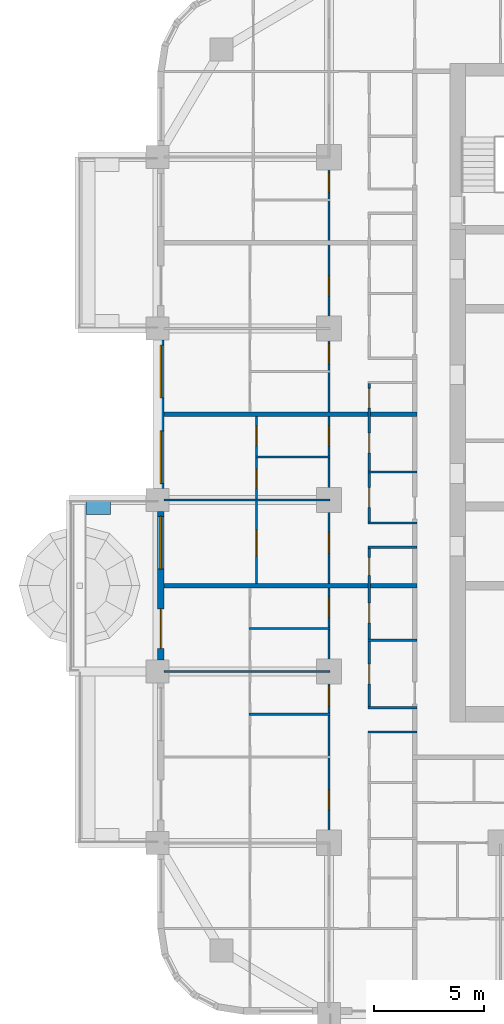
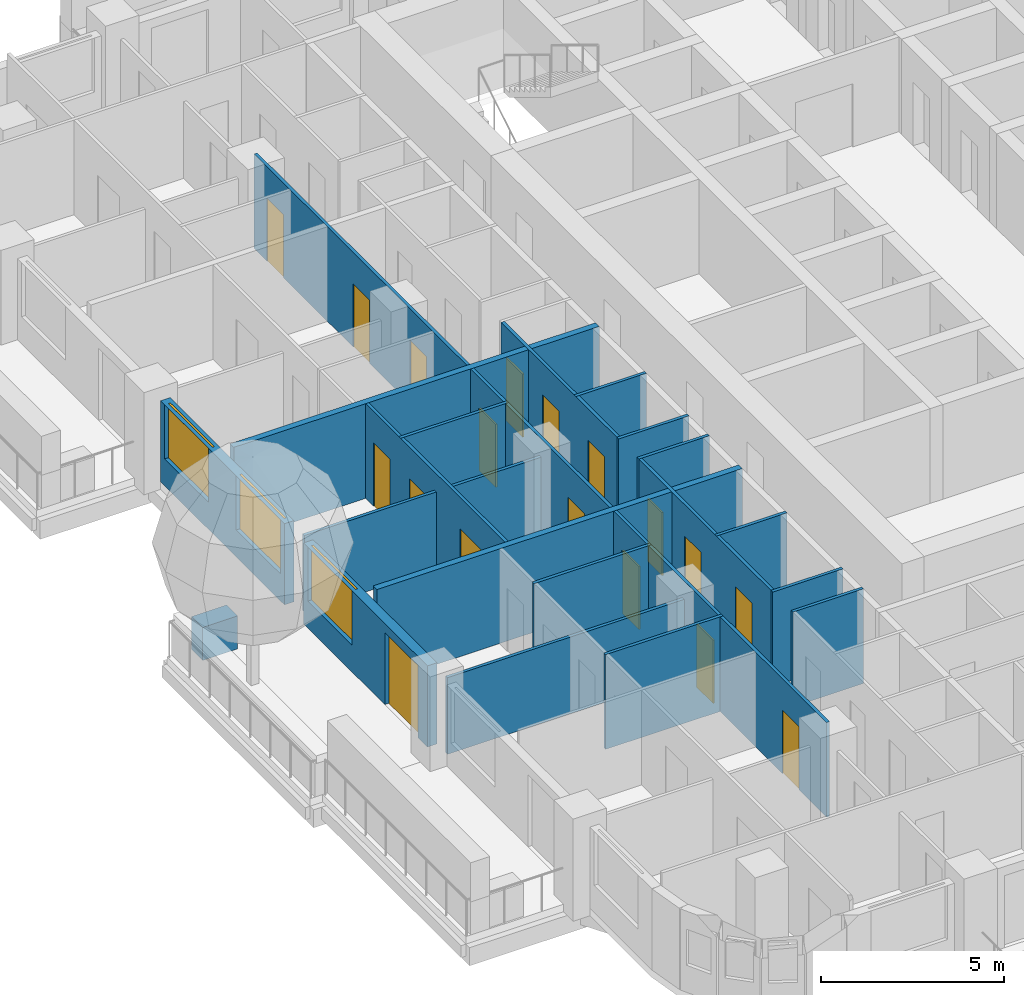
# One storey, part 5 of 18: 20 walls, 18 doors, 3 windows, 21 openings.
"""IFC4 building model written with IfcOpenShell, lengths in metres."""

from ifc_helpers import new_model, si_unit, direction, frame, frame_2d, origin, place, context, subcontext, project, spatial, rectangle, extrude, material, layer, layer_set, type_object, element, fill, save


model = new_model("IFC4")

# Units and contexts
model_context = context("Model", 3, precision=1e-05, world=origin(), true_north=direction((0.0, 1.0)))
body_context = subcontext(model_context, "Body", "Model", "MODEL_VIEW")
ifc_project = project(units=[si_unit("LENGTHUNIT", "METRE"), si_unit("AREAUNIT", "SQUARE_METRE"), si_unit("VOLUMEUNIT", "CUBIC_METRE"), si_unit("PLANEANGLEUNIT", "RADIAN"), si_unit("MASSUNIT", "GRAM", prefix="KILO")], contexts=[model_context])

# Site, building, storey
site_placement = place(None, origin())
site = spatial("IfcSite", under=ifc_project, at=site_placement, CompositionType="ELEMENT")
building_placement = place(site_placement, origin())
building = spatial("IfcBuilding", under=site, at=building_placement, Name="Ludao Terraces", CompositionType="ELEMENT")
storey_placement = place(building_placement, frame((0.0, 0.0, 26.300048828125)))
storey = spatial("IfcBuildingStorey", under=building, at=storey_placement, Name="L06", CompositionType="ELEMENT", Elevation=26.300048828125)

# Wall
ifc_material_1 = material(Name="Concrete C40", Category="concrete")
ifc_layer_1 = layer(ifc_material_1, 0.60009765625)
ifc_layer_set_1 = layer_set([ifc_layer_1], Name="ENV Planter trough 600")
wall_type_1 = type_object("IfcWallType", Name="ENV Planter trough 600", PredefinedType="USERDEFINED", material=ifc_layer_set_1)
wall_1_placement = place(storey_placement, frame((58.35009765625, 64.64990234375, 0.0), z_axis=(0.0, 0.0, 1.0), x_axis=(1.0, 0.0, 0.0)))
element("IfcWall", 1, at=wall_1_placement, inside=storey, type_object=wall_type_1, Name="PL-L06-W2-SB", ObjectType="PLANTER", PredefinedType="USERDEFINED", context=body_context, shape_type="SweptSolid", body=[
    extrude(rectangle(XDim=1.099853515625, YDim=0.60009765625, at=frame_2d((0.5498046875, 0.0))), origin(), (0.0, 0.0, 1.0), 1.099853515625),
])

# Wall, openings, door, window
ifc_material_2 = material(Name="Granite cladding", Category="masonry")
ifc_layer_2 = layer(ifc_material_2, 0.0400390625, Category="stone")
ifc_material_3 = material(Name="Mineral wool")
ifc_layer_3 = layer(ifc_material_3, 0.06005859375)
ifc_layer_4 = layer(ifc_material_1, 0.199951171875, Category="concrete")
ifc_layer_set_2 = layer_set([ifc_layer_2, ifc_layer_3, ifc_layer_4], Name="ENV Stone-clad wall 300")
wall_type_2 = type_object("IfcWallType", Name="ENV Stone-clad wall 300", PredefinedType="SOLIDWALL", material=ifc_layer_set_2)
wall_2_placement = place(storey_placement, frame((61.75, 57.72509765625, 0.0), z_axis=(0.0, 0.0, 1.0), x_axis=(0.0, 1.0, 0.0)))
wall_2 = element("IfcWall", 2, at=wall_2_placement, inside=storey, type_object=wall_type_2, Name="EW-L06-W3", PredefinedType="SOLIDWALL", context=body_context, shape_type="SweptSolid", body=[
    extrude(rectangle(XDim=6.75, YDim=0.300048828125, at=frame_2d((3.375, 0.0))), origin(), (0.0, 0.0, 1.0), 2.699951171875),
])
opening_1_placement = place(wall_2_placement, frame((0.52490234375, 0.0, 0.0)))
opening_1 = element("IfcOpeningElement", 3, at=opening_1_placement, cuts=wall_2, Name="Opening BD", PredefinedType="OPENING", context=body_context, shape_type="SweptSolid", body=[
    extrude(rectangle(XDim=1.800048828125, YDim=2.39990234375, at=frame_2d((0.89990234375, 1.199951171875))), frame((0.0, 0.16015625, 0.0), z_axis=(0.0, -1.0, 0.0), x_axis=(1.0, 0.0, 0.0)), (0.0, 0.0, 1.0), 0.320068359375),
])
opening_2_placement = place(wall_2_placement, frame((4.125, 0.0, 0.89990234375)))
opening_2 = element("IfcOpeningElement", 4, at=opening_2_placement, cuts=wall_2, Name="Opening W1", PredefinedType="OPENING", context=body_context, shape_type="SweptSolid", body=[
    extrude(rectangle(XDim=2.39990234375, YDim=1.800048828125, at=frame_2d((1.199951171875, 0.89990234375))), frame((0.0, 0.16015625, 0.0), z_axis=(0.0, -1.0, 0.0), x_axis=(1.0, 0.0, 0.0)), (0.0, 0.0, 1.0), 0.320068359375),
])
ifc_material_4 = material(Name="Aluminium glazed door", Category="aluminium")
ifc_layer_5 = layer(ifc_material_4, 0.06005859375)
ifc_layer_set_3 = layer_set([ifc_layer_5], Name="ENV Balcony door BD 1800x2400")
door_type_1 = type_object("IfcDoorType", Name="ENV Balcony door BD 1800x2400", OperationType="DOUBLE_DOOR_SINGLE_SWING", PredefinedType="DOOR", material=ifc_layer_set_3)
door_1_placement = place(opening_1_placement, origin())
door_1 = element("IfcDoor", 5, at=door_1_placement, inside=storey, type_object=door_type_1, Name="BD-L06-W3-1", OperationType="DOUBLE_DOOR_SINGLE_SWING", OverallHeight=2.39990234375, OverallWidth=1.800048828125, PredefinedType="DOOR", context=body_context, shape_type="SweptSolid", body=[
    extrude(rectangle(XDim=1.800048828125, YDim=2.39990234375, at=frame_2d((0.89990234375, 1.199951171875))), frame((0.0, 0.02490234375, 0.0), z_axis=(0.0, -1.0, 0.0), x_axis=(1.0, 0.0, 0.0)), (0.0, 0.0, 1.0), 0.050048828125),
])
fill(opening_1, door_1)
ifc_material_5 = material(Name="Clear glass in aluminium frame", Category="aluminium")
ifc_layer_6 = layer(ifc_material_5, 0.06005859375)
ifc_layer_set_4 = layer_set([ifc_layer_6], Name="ENV Window W1 2400x1800")
window_type = type_object("IfcWindowType", Name="ENV Window W1 2400x1800", PartitioningType="DOUBLE_PANEL_VERTICAL", PredefinedType="WINDOW", material=ifc_layer_set_4)
window_1_placement = place(opening_2_placement, origin())
window_1 = element("IfcWindow", 6, at=window_1_placement, inside=storey, type_object=window_type, Name="W-L06-W3-2", OverallHeight=1.800048828125, OverallWidth=2.39990234375, PartitioningType="DOUBLE_PANEL_VERTICAL", PredefinedType="WINDOW", context=body_context, shape_type="SweptSolid", body=[
    extrude(rectangle(XDim=2.39990234375, YDim=1.800048828125, at=frame_2d((1.199951171875, 0.89990234375))), frame((0.0, 0.030029296875, 0.0), z_axis=(0.0, -1.0, 0.0), x_axis=(1.0, 0.0, 0.0)), (0.0, 0.0, 1.0), 0.06005859375),
])
fill(opening_2, window_1)

# Wall, openings, windows
wall_3_placement = place(storey_placement, frame((61.75, 65.52490234375, 0.0), z_axis=(0.0, 0.0, 1.0), x_axis=(0.0, 1.0, 0.0)))
wall_3 = element("IfcWall", 7, at=wall_3_placement, inside=storey, type_object=wall_type_2, Name="EW-L06-W4", PredefinedType="SOLIDWALL", context=body_context, shape_type="SweptSolid", body=[
    extrude(rectangle(XDim=6.75, YDim=0.300048828125, at=frame_2d((3.375, 0.0))), origin(), (0.0, 0.0, 1.0), 2.699951171875),
])
opening_3_placement = place(wall_3_placement, frame((0.22509765625, 0.0, 0.89990234375)))
opening_3 = element("IfcOpeningElement", 8, at=opening_3_placement, cuts=wall_3, Name="Opening W1", PredefinedType="OPENING", context=body_context, shape_type="SweptSolid", body=[
    extrude(rectangle(XDim=2.39990234375, YDim=1.800048828125, at=frame_2d((1.199951171875, 0.89990234375))), frame((0.0, 0.16015625, 0.0), z_axis=(0.0, -1.0, 0.0), x_axis=(1.0, 0.0, 0.0)), (0.0, 0.0, 1.0), 0.320068359375),
])
opening_4_placement = place(wall_3_placement, frame((4.125, 0.0, 0.89990234375)))
opening_4 = element("IfcOpeningElement", 9, at=opening_4_placement, cuts=wall_3, Name="Opening W1", PredefinedType="OPENING", context=body_context, shape_type="SweptSolid", body=[
    extrude(rectangle(XDim=2.39990234375, YDim=1.800048828125, at=frame_2d((1.199951171875, 0.89990234375))), frame((0.0, 0.16015625, 0.0), z_axis=(0.0, -1.0, 0.0), x_axis=(1.0, 0.0, 0.0)), (0.0, 0.0, 1.0), 0.320068359375),
])
window_2_placement = place(opening_3_placement, origin())
window_2 = element("IfcWindow", 10, at=window_2_placement, inside=storey, type_object=window_type, Name="W-L06-W4-1", OverallHeight=1.800048828125, OverallWidth=2.39990234375, PartitioningType="DOUBLE_PANEL_VERTICAL", PredefinedType="WINDOW", context=body_context, shape_type="SweptSolid", body=[
    extrude(rectangle(XDim=2.39990234375, YDim=1.800048828125, at=frame_2d((1.199951171875, 0.89990234375))), frame((0.0, 0.030029296875, 0.0), z_axis=(0.0, -1.0, 0.0), x_axis=(1.0, 0.0, 0.0)), (0.0, 0.0, 1.0), 0.06005859375),
])
fill(opening_3, window_2)
window_3_placement = place(opening_4_placement, origin())
window_3 = element("IfcWindow", 11, at=window_3_placement, inside=storey, type_object=window_type, Name="W-L06-W4-2", OverallHeight=1.800048828125, OverallWidth=2.39990234375, PartitioningType="DOUBLE_PANEL_VERTICAL", PredefinedType="WINDOW", context=body_context, shape_type="SweptSolid", body=[
    extrude(rectangle(XDim=2.39990234375, YDim=1.800048828125, at=frame_2d((1.199951171875, 0.89990234375))), frame((0.0, 0.030029296875, 0.0), z_axis=(0.0, -1.0, 0.0), x_axis=(1.0, 0.0, 0.0)), (0.0, 0.0, 1.0), 0.06005859375),
])
fill(opening_4, window_3)

# Walls
ifc_material_6 = material(Name="Gypsum plasterboard", Category="gypsum")
ifc_layer_7 = layer(ifc_material_6, 0.012451171875, Category="gypsum")
ifc_layer_8 = layer(ifc_material_3, 0.06005859375, Name="insulation")
ifc_material_7 = material(Name="Steel Q235", Category="steel")
ifc_layer_9 = layer(ifc_material_7, 0.014892578125, Name="stud")
ifc_layer_10 = layer(ifc_material_6, 0.012451171875, Category="gypsum")
ifc_layer_set_5 = layer_set([ifc_layer_7, ifc_layer_8, ifc_layer_9, ifc_layer_10], Name="INT Partition 100")
wall_type_3 = type_object("IfcWallType", Name="INT Partition 100", PredefinedType="PARTITIONING", material=ifc_layer_set_5)
wall_4_placement = place(storey_placement, frame((71.18017578125, 54.449951171875, 0.0), z_axis=(0.0, 0.0, 1.0), x_axis=(1.0, 0.0, 0.0)))
element("IfcWall", 12, at=wall_4_placement, inside=storey, type_object=wall_type_3, Name="PW-L06-PW020", PredefinedType="PARTITIONING", context=body_context, shape_type="SweptSolid", body=[
    extrude(rectangle(XDim=2.219970703125, YDim=0.10009765625, at=frame_2d((1.10986328125, 0.0))), origin(), (0.0, 0.0, 1.0), 3.14990234375),
])
wall_5_placement = place(storey_placement, frame((65.75, 55.25, 0.0), z_axis=(0.0, 0.0, 1.0), x_axis=(1.0, 0.0, 0.0)))
element("IfcWall", 13, at=wall_5_placement, inside=storey, type_object=wall_type_3, Name="PW-L06-PW021", PredefinedType="PARTITIONING", context=body_context, shape_type="SweptSolid", body=[
    extrude(rectangle(XDim=3.7001953125, YDim=0.10009765625, at=frame_2d((1.85009765625, 0.0))), origin(), (0.0, 0.0, 1.0), 3.14990234375),
])
wall_6_placement = place(storey_placement, frame((71.18017578125, 55.550048828125, 0.0), z_axis=(0.0, 0.0, 1.0), x_axis=(1.0, 0.0, 0.0)))
element("IfcWall", 14, at=wall_6_placement, inside=storey, type_object=wall_type_3, Name="PW-L06-PW022", PredefinedType="PARTITIONING", context=body_context, shape_type="SweptSolid", body=[
    extrude(rectangle(XDim=2.219970703125, YDim=0.10009765625, at=frame_2d((1.10986328125, 0.0))), origin(), (0.0, 0.0, 1.0), 3.14990234375),
])
wall_7_placement = place(storey_placement, frame((61.900146484375, 57.199951171875, 0.0), z_axis=(0.0, 0.0, 1.0), x_axis=(1.0, 0.0, 0.0)))
element("IfcWall", 15, at=wall_7_placement, inside=storey, type_object=wall_type_3, Name="PW-L06-PW024", PredefinedType="PARTITIONING", context=body_context, shape_type="SweptSolid", body=[
    extrude(rectangle(XDim=7.550048828125, YDim=0.10009765625, at=frame_2d((3.77490234375, 0.0))), origin(), (0.0, 0.0, 1.0), 2.5498046875),
])
wall_8_placement = place(storey_placement, frame((71.18017578125, 58.6201171875, 0.0), z_axis=(0.0, 0.0, 1.0), x_axis=(1.0, 0.0, 0.0)))
element("IfcWall", 16, at=wall_8_placement, inside=storey, type_object=wall_type_3, Name="PW-L06-PW027", PredefinedType="PARTITIONING", context=body_context, shape_type="SweptSolid", body=[
    extrude(rectangle(XDim=2.219970703125, YDim=0.10009765625, at=frame_2d((1.10986328125, 0.0))), origin(), (0.0, 0.0, 1.0), 3.14990234375),
])
wall_9_placement = place(storey_placement, frame((65.75, 59.14990234375, 0.0), z_axis=(0.0, 0.0, 1.0), x_axis=(1.0, 0.0, 0.0)))
element("IfcWall", 17, at=wall_9_placement, inside=storey, type_object=wall_type_3, Name="PW-L06-PW029", PredefinedType="PARTITIONING", context=body_context, shape_type="SweptSolid", body=[
    extrude(rectangle(XDim=3.7001953125, YDim=0.10009765625, at=frame_2d((1.85009765625, 0.0))), origin(), (0.0, 0.0, 1.0), 3.14990234375),
])
for number, where, z_axis, x_axis, name in (
    (18, (71.18017578125, 62.85009765625, 0.0), (0.0, 0.0, 1.0), (1.0, 0.0, 0.0), "PW-L06-PW035"),
    (19, (71.18017578125, 63.949951171875, 0.0), (0.0, 0.0, 1.0), (1.0, 0.0, 0.0), "PW-L06-PW038"),
):
    element("IfcWall", number, at=place(storey_placement, frame(where, z_axis=z_axis, x_axis=x_axis)), inside=storey, type_object=wall_type_3, Name=name, PredefinedType="PARTITIONING", context=body_context, shape_type="SweptSolid", body=[
        extrude(rectangle(XDim=2.219970703125, YDim=0.10009765625, at=frame_2d((1.10986328125, 0.0))), origin(), (0.0, 0.0, 1.0), 3.14990234375),
    ])
wall_10_placement = place(storey_placement, frame((61.900146484375, 65.0, 0.0), z_axis=(0.0, 0.0, 1.0), x_axis=(1.0, 0.0, 0.0)))
element("IfcWall", 20, at=wall_10_placement, inside=storey, type_object=wall_type_3, Name="PW-L06-PW039", PredefinedType="PARTITIONING", context=body_context, shape_type="SweptSolid", body=[
    extrude(rectangle(XDim=7.550048828125, YDim=0.10009765625, at=frame_2d((3.77490234375, 0.0))), origin(), (0.0, 0.0, 1.0), 2.5498046875),
])
wall_11_placement = place(storey_placement, frame((71.18017578125, 66.280029296875, 0.0), z_axis=(0.0, 0.0, 1.0), x_axis=(1.0, 0.0, 0.0)))
element("IfcWall", 21, at=wall_11_placement, inside=storey, type_object=wall_type_3, Name="PW-L06-PW042", PredefinedType="PARTITIONING", context=body_context, shape_type="SweptSolid", body=[
    extrude(rectangle(XDim=2.219970703125, YDim=0.10009765625, at=frame_2d((1.10986328125, 0.0))), origin(), (0.0, 0.0, 1.0), 3.14990234375),
])
wall_12_placement = place(storey_placement, frame((66.050048828125, 66.949951171875, 0.0), z_axis=(0.0, 0.0, 1.0), x_axis=(1.0, 0.0, 0.0)))
element("IfcWall", 22, at=wall_12_placement, inside=storey, type_object=wall_type_3, Name="PW-L06-PW043", PredefinedType="PARTITIONING", context=body_context, shape_type="SweptSolid", body=[
    extrude(rectangle(XDim=3.400146484375, YDim=0.10009765625, at=frame_2d((1.7001953125, 0.0))), origin(), (0.0, 0.0, 1.0), 3.14990234375),
])

# Wall, openings, doors
wall_13_placement = place(storey_placement, frame((66.10009765625, 61.2001953125, 0.0), z_axis=(0.0, 0.0, 1.0), x_axis=(0.0, 1.0, 0.0)))
wall_13 = element("IfcWall", 23, at=wall_13_placement, inside=storey, type_object=wall_type_3, Name="PW-L06-PW076", PredefinedType="PARTITIONING", context=body_context, shape_type="SweptSolid", body=[
    extrude(rectangle(XDim=7.599853515625, YDim=0.10009765625, at=frame_2d((3.7998046875, 0.0))), origin(), (0.0, 0.0, 1.0), 3.14990234375),
])
opening_5_placement = place(wall_13_placement, frame((1.25, 0.0, 0.0)))
opening_5 = element("IfcOpeningElement", 24, at=opening_5_placement, cuts=wall_13, Name="Opening R01-076", PredefinedType="OPENING", context=body_context, shape_type="SweptSolid", body=[
    extrude(rectangle(XDim=1.199951171875, YDim=2.10009765625, at=frame_2d((0.60009765625, 1.050048828125))), frame((0.0, 0.06005859375, 0.0), z_axis=(0.0, -1.0, 0.0), x_axis=(1.0, 0.0, 0.0)), (0.0, 0.0, 1.0), 0.1201171875),
])
opening_6_placement = place(wall_13_placement, frame((4.324951171875, 0.0, 0.0)))
opening_6 = element("IfcOpeningElement", 25, at=opening_6_placement, cuts=wall_13, Name="Opening R01-086", PredefinedType="OPENING", context=body_context, shape_type="SweptSolid", body=[
    extrude(rectangle(XDim=0.89990234375, YDim=2.10009765625, at=frame_2d((0.449951171875, 1.050048828125))), frame((0.0, 0.06005859375, 0.0), z_axis=(0.0, -1.0, 0.0), x_axis=(1.0, 0.0, 0.0)), (0.0, 0.0, 1.0), 0.1201171875),
])
opening_7_placement = place(wall_13_placement, frame((6.27490234375, 0.0, 0.0)))
opening_7 = element("IfcOpeningElement", 26, at=opening_7_placement, cuts=wall_13, Name="Opening R01-093", PredefinedType="OPENING", context=body_context, shape_type="SweptSolid", body=[
    extrude(rectangle(XDim=0.89990234375, YDim=2.10009765625, at=frame_2d((0.449951171875, 1.050048828125))), frame((0.0, 0.06005859375, 0.0), z_axis=(0.0, -1.0, 0.0), x_axis=(1.0, 0.0, 0.0)), (0.0, 0.0, 1.0), 0.1201171875),
])
ifc_material_8 = material(Name="Timber door leaf", Category="wood")
door_type_2 = type_object("IfcDoorType", Name="INT Bathroom door 900", OperationType="SINGLE_SWING_LEFT", PredefinedType="DOOR", material=ifc_material_8)
door_2_placement = place(opening_6_placement, origin())
door_2 = element("IfcDoor", 27, at=door_2_placement, inside=storey, type_object=door_type_2, Name="DOOR 086", OperationType="SINGLE_SWING_RIGHT", OverallHeight=2.10009765625, OverallWidth=0.89990234375, PredefinedType="DOOR", context=body_context, shape_type="SweptSolid", body=[
    extrude(rectangle(XDim=0.89990234375, YDim=2.10009765625, at=frame_2d((0.449951171875, 1.050048828125))), frame((0.0, 0.02490234375, 0.0), z_axis=(0.0, -1.0, 0.0), x_axis=(1.0, 0.0, 0.0)), (0.0, 0.0, 1.0), 0.050048828125),
])
fill(opening_6, door_2)
door_type_3 = type_object("IfcDoorType", Name="INT Double door 1200", OperationType="DOUBLE_DOOR_SINGLE_SWING", PredefinedType="DOOR", material=ifc_material_8)
door_3_placement = place(opening_5_placement, origin())
door_3 = element("IfcDoor", 28, at=door_3_placement, inside=storey, type_object=door_type_3, Name="DOOR 076", OperationType="DOUBLE_DOOR_SINGLE_SWING", OverallHeight=2.10009765625, OverallWidth=1.199951171875, PredefinedType="DOOR", context=body_context, shape_type="SweptSolid", body=[
    extrude(rectangle(XDim=1.199951171875, YDim=2.10009765625, at=frame_2d((0.60009765625, 1.050048828125))), frame((0.0, 0.02490234375, 0.0), z_axis=(0.0, -1.0, 0.0), x_axis=(1.0, 0.0, 0.0)), (0.0, 0.0, 1.0), 0.050048828125),
])
fill(opening_5, door_3)
door_type_4 = type_object("IfcDoorType", Name="INT Room door 900", OperationType="SINGLE_SWING_LEFT", PredefinedType="DOOR", material=ifc_material_8)
door_4_placement = place(opening_7_placement, origin())
door_4 = element("IfcDoor", 29, at=door_4_placement, inside=storey, type_object=door_type_4, Name="DOOR 093", OperationType="SINGLE_SWING_LEFT", OverallHeight=2.10009765625, OverallWidth=0.89990234375, PredefinedType="DOOR", context=body_context, shape_type="SweptSolid", body=[
    extrude(rectangle(XDim=0.89990234375, YDim=2.10009765625, at=frame_2d((0.449951171875, 1.050048828125))), frame((0.0, 0.02490234375, 0.0), z_axis=(0.0, -1.0, 0.0), x_axis=(1.0, 0.0, 0.0)), (0.0, 0.0, 1.0), 0.050048828125),
])
fill(opening_7, door_4)

wall_14_placement = place(storey_placement, frame((69.39990234375, 49.39990234375, 0.0), z_axis=(0.0, 0.0, 1.0), x_axis=(0.0, 1.0, 0.0)))
wall_14 = element("IfcWall", 30, at=wall_14_placement, inside=storey, type_object=wall_type_3, Name="PW-L06-PW077-2", PredefinedType="PARTITIONING", context=body_context, shape_type="SweptSolid", body=[
    extrude(rectangle(XDim=31.2001953125, YDim=0.10009765625, at=frame_2d((15.60009765625, 0.0))), origin(), (0.0, 0.0, 1.0), 3.14990234375),
])
opening_8_placement = place(wall_14_placement, frame((1.500244140625, 0.0, 0.0)))
opening_8 = element("IfcOpeningElement", 31, at=opening_8_placement, cuts=wall_14, Name="Opening R01-042", PredefinedType="OPENING", context=body_context, shape_type="SweptSolid", body=[
    extrude(rectangle(XDim=0.89990234375, YDim=2.10009765625, at=frame_2d((0.449951171875, 1.050048828125))), frame((0.0, 0.06005859375, 0.0), z_axis=(0.0, -1.0, 0.0), x_axis=(1.0, 0.0, 0.0)), (0.0, 0.0, 1.0), 0.1201171875),
])
opening_9_placement = place(wall_14_placement, frame((6.22509765625, 0.0, 0.0)))
opening_9 = element("IfcOpeningElement", 32, at=opening_9_placement, cuts=wall_14, Name="Opening R01-054", PredefinedType="OPENING", context=body_context, shape_type="SweptSolid", body=[
    extrude(rectangle(XDim=0.89990234375, YDim=2.10009765625, at=frame_2d((0.449951171875, 1.050048828125))), frame((0.0, 0.06005859375, 0.0), z_axis=(0.0, -1.0, 0.0), x_axis=(1.0, 0.0, 0.0)), (0.0, 0.0, 1.0), 0.1201171875),
])
opening_10_placement = place(wall_14_placement, frame((10.275146484375, 0.0, 0.0)))
opening_10 = element("IfcOpeningElement", 33, at=opening_10_placement, cuts=wall_14, Name="Opening R01-067", PredefinedType="OPENING", context=body_context, shape_type="SweptSolid", body=[
    extrude(rectangle(XDim=0.89990234375, YDim=2.10009765625, at=frame_2d((0.449951171875, 1.050048828125))), frame((0.0, 0.06005859375, 0.0), z_axis=(0.0, -1.0, 0.0), x_axis=(1.0, 0.0, 0.0)), (0.0, 0.0, 1.0), 0.1201171875),
])
opening_11_placement = place(wall_14_placement, frame((13.2001953125, 0.0, 0.0)))
opening_11 = element("IfcOpeningElement", 34, at=opening_11_placement, cuts=wall_14, Name="Opening R01-077", PredefinedType="OPENING", context=body_context, shape_type="SweptSolid", body=[
    extrude(rectangle(XDim=0.89990234375, YDim=2.10009765625, at=frame_2d((0.449951171875, 1.050048828125))), frame((0.0, 0.06005859375, 0.0), z_axis=(0.0, -1.0, 0.0), x_axis=(1.0, 0.0, 0.0)), (0.0, 0.0, 1.0), 0.1201171875),
])
opening_12_placement = place(wall_14_placement, frame((18.0751953125, 0.0, 0.0)))
opening_12 = element("IfcOpeningElement", 35, at=opening_12_placement, cuts=wall_14, Name="Opening R01-094", PredefinedType="OPENING", context=body_context, shape_type="SweptSolid", body=[
    extrude(rectangle(XDim=0.89990234375, YDim=2.10009765625, at=frame_2d((0.449951171875, 1.050048828125))), frame((0.0, 0.06005859375, 0.0), z_axis=(0.0, -1.0, 0.0), x_axis=(1.0, 0.0, 0.0)), (0.0, 0.0, 1.0), 0.1201171875),
])
opening_13_placement = place(wall_14_placement, frame((21.80029296875, 0.0, 0.0)))
opening_13 = element("IfcOpeningElement", 36, at=opening_13_placement, cuts=wall_14, Name="Opening R01-102", PredefinedType="OPENING", context=body_context, shape_type="SweptSolid", body=[
    extrude(rectangle(XDim=0.89990234375, YDim=2.10009765625, at=frame_2d((0.449951171875, 1.050048828125))), frame((0.0, 0.06005859375, 0.0), z_axis=(0.0, -1.0, 0.0), x_axis=(1.0, 0.0, 0.0)), (0.0, 0.0, 1.0), 0.1201171875),
])
opening_14_placement = place(wall_14_placement, frame((24.900146484375, 0.0, 0.0)))
opening_14 = element("IfcOpeningElement", 37, at=opening_14_placement, cuts=wall_14, Name="Opening R01-112", PredefinedType="OPENING", context=body_context, shape_type="SweptSolid", body=[
    extrude(rectangle(XDim=0.89990234375, YDim=2.10009765625, at=frame_2d((0.449951171875, 1.050048828125))), frame((0.0, 0.06005859375, 0.0), z_axis=(0.0, -1.0, 0.0), x_axis=(1.0, 0.0, 0.0)), (0.0, 0.0, 1.0), 0.1201171875),
])
opening_15_placement = place(wall_14_placement, frame((29.60009765625, 0.0, 0.0)))
opening_15 = element("IfcOpeningElement", 38, at=opening_15_placement, cuts=wall_14, Name="Opening R01-131", PredefinedType="OPENING", context=body_context, shape_type="SweptSolid", body=[
    extrude(rectangle(XDim=0.89990234375, YDim=2.10009765625, at=frame_2d((0.449951171875, 1.050048828125))), frame((0.0, 0.06005859375, 0.0), z_axis=(0.0, -1.0, 0.0), x_axis=(1.0, 0.0, 0.0)), (0.0, 0.0, 1.0), 0.1201171875),
])
door_5_placement = place(opening_8_placement, origin())
door_5 = element("IfcDoor", 39, at=door_5_placement, inside=storey, type_object=door_type_4, Name="DOOR 042", OperationType="SINGLE_SWING_LEFT", OverallHeight=2.10009765625, OverallWidth=0.89990234375, PredefinedType="DOOR", context=body_context, shape_type="SweptSolid", body=[
    extrude(rectangle(XDim=0.89990234375, YDim=2.10009765625, at=frame_2d((0.449951171875, 1.050048828125))), frame((0.0, 0.02490234375, 0.0), z_axis=(0.0, -1.0, 0.0), x_axis=(1.0, 0.0, 0.0)), (0.0, 0.0, 1.0), 0.050048828125),
])
fill(opening_8, door_5)
door_6_placement = place(opening_9_placement, origin())
door_6 = element("IfcDoor", 40, at=door_6_placement, inside=storey, type_object=door_type_4, Name="DOOR 054", OperationType="SINGLE_SWING_LEFT", OverallHeight=2.10009765625, OverallWidth=0.89990234375, PredefinedType="DOOR", context=body_context, shape_type="SweptSolid", body=[
    extrude(rectangle(XDim=0.89990234375, YDim=2.10009765625, at=frame_2d((0.449951171875, 1.050048828125))), frame((0.0, 0.02490234375, 0.0), z_axis=(0.0, -1.0, 0.0), x_axis=(1.0, 0.0, 0.0)), (0.0, 0.0, 1.0), 0.050048828125),
])
fill(opening_9, door_6)
door_7_placement = place(opening_10_placement, origin())
door_7 = element("IfcDoor", 41, at=door_7_placement, inside=storey, type_object=door_type_4, Name="DOOR 067", OperationType="SINGLE_SWING_RIGHT", OverallHeight=2.10009765625, OverallWidth=0.89990234375, PredefinedType="DOOR", context=body_context, shape_type="SweptSolid", body=[
    extrude(rectangle(XDim=0.89990234375, YDim=2.10009765625, at=frame_2d((0.449951171875, 1.050048828125))), frame((0.0, 0.02490234375, 0.0), z_axis=(0.0, -1.0, 0.0), x_axis=(1.0, 0.0, 0.0)), (0.0, 0.0, 1.0), 0.050048828125),
])
fill(opening_10, door_7)
door_8_placement = place(opening_11_placement, origin())
door_8 = element("IfcDoor", 42, at=door_8_placement, inside=storey, type_object=door_type_4, Name="DOOR 077", OperationType="SINGLE_SWING_LEFT", OverallHeight=2.10009765625, OverallWidth=0.89990234375, PredefinedType="DOOR", context=body_context, shape_type="SweptSolid", body=[
    extrude(rectangle(XDim=0.89990234375, YDim=2.10009765625, at=frame_2d((0.449951171875, 1.050048828125))), frame((0.0, 0.02490234375, 0.0), z_axis=(0.0, -1.0, 0.0), x_axis=(1.0, 0.0, 0.0)), (0.0, 0.0, 1.0), 0.050048828125),
])
fill(opening_11, door_8)
door_9_placement = place(opening_12_placement, origin())
door_9 = element("IfcDoor", 43, at=door_9_placement, inside=storey, type_object=door_type_4, Name="DOOR 094", OperationType="SINGLE_SWING_RIGHT", OverallHeight=2.10009765625, OverallWidth=0.89990234375, PredefinedType="DOOR", context=body_context, shape_type="SweptSolid", body=[
    extrude(rectangle(XDim=0.89990234375, YDim=2.10009765625, at=frame_2d((0.449951171875, 1.050048828125))), frame((0.0, 0.02490234375, 0.0), z_axis=(0.0, -1.0, 0.0), x_axis=(1.0, 0.0, 0.0)), (0.0, 0.0, 1.0), 0.050048828125),
])
fill(opening_12, door_9)
door_10_placement = place(opening_13_placement, origin())
door_10 = element("IfcDoor", 44, at=door_10_placement, inside=storey, type_object=door_type_4, Name="DOOR 102", OperationType="SINGLE_SWING_LEFT", OverallHeight=2.10009765625, OverallWidth=0.89990234375, PredefinedType="DOOR", context=body_context, shape_type="SweptSolid", body=[
    extrude(rectangle(XDim=0.89990234375, YDim=2.10009765625, at=frame_2d((0.449951171875, 1.050048828125))), frame((0.0, 0.02490234375, 0.0), z_axis=(0.0, -1.0, 0.0), x_axis=(1.0, 0.0, 0.0)), (0.0, 0.0, 1.0), 0.050048828125),
])
fill(opening_13, door_10)
door_11_placement = place(opening_14_placement, origin())
door_11 = element("IfcDoor", 45, at=door_11_placement, inside=storey, type_object=door_type_4, Name="DOOR 112", OperationType="SINGLE_SWING_LEFT", OverallHeight=2.10009765625, OverallWidth=0.89990234375, PredefinedType="DOOR", context=body_context, shape_type="SweptSolid", body=[
    extrude(rectangle(XDim=0.89990234375, YDim=2.10009765625, at=frame_2d((0.449951171875, 1.050048828125))), frame((0.0, 0.02490234375, 0.0), z_axis=(0.0, -1.0, 0.0), x_axis=(1.0, 0.0, 0.0)), (0.0, 0.0, 1.0), 0.050048828125),
])
fill(opening_14, door_11)
door_12_placement = place(opening_15_placement, origin())
door_12 = element("IfcDoor", 46, at=door_12_placement, inside=storey, type_object=door_type_4, Name="DOOR 131", OperationType="SINGLE_SWING_LEFT", OverallHeight=2.10009765625, OverallWidth=0.89990234375, PredefinedType="DOOR", context=body_context, shape_type="SweptSolid", body=[
    extrude(rectangle(XDim=0.89990234375, YDim=2.10009765625, at=frame_2d((0.449951171875, 1.050048828125))), frame((0.0, 0.02490234375, 0.0), z_axis=(0.0, -1.0, 0.0), x_axis=(1.0, 0.0, 0.0)), (0.0, 0.0, 1.0), 0.050048828125),
])
fill(opening_15, door_12)

wall_15_placement = place(storey_placement, frame((71.22998046875, 55.60009765625, 0.0), z_axis=(0.0, 0.0, 1.0), x_axis=(0.0, 1.0, 0.0)))
wall_15 = element("IfcWall", 47, at=wall_15_placement, inside=storey, type_object=wall_type_3, Name="PW-L06-PW079", PredefinedType="PARTITIONING", context=body_context, shape_type="SweptSolid", body=[
    extrude(rectangle(XDim=7.199951171875, YDim=0.10009765625, at=frame_2d((3.60009765625, 0.0))), origin(), (0.0, 0.0, 1.0), 3.14990234375),
])
opening_16_placement = place(wall_15_placement, frame((1.034912109375, 0.0, 0.0)))
opening_16 = element("IfcOpeningElement", 48, at=opening_16_placement, cuts=wall_15, Name="Opening R01-059", PredefinedType="OPENING", context=body_context, shape_type="SweptSolid", body=[
    extrude(rectangle(XDim=0.89990234375, YDim=2.10009765625, at=frame_2d((0.449951171875, 1.050048828125))), frame((0.0, 0.06005859375, 0.0), z_axis=(0.0, -1.0, 0.0), x_axis=(1.0, 0.0, 0.0)), (0.0, 0.0, 1.0), 0.1201171875),
])
opening_17_placement = place(wall_15_placement, frame((3.81005859375, 0.0, 0.0)))
opening_17 = element("IfcOpeningElement", 49, at=opening_17_placement, cuts=wall_15, Name="Opening R01-064", PredefinedType="OPENING", context=body_context, shape_type="SweptSolid", body=[
    extrude(rectangle(XDim=0.89990234375, YDim=2.10009765625, at=frame_2d((0.449951171875, 1.050048828125))), frame((0.0, 0.06005859375, 0.0), z_axis=(0.0, -1.0, 0.0), x_axis=(1.0, 0.0, 0.0)), (0.0, 0.0, 1.0), 0.1201171875),
])
opening_18_placement = place(wall_15_placement, frame((5.97509765625, 0.0, 0.0)))
opening_18 = element("IfcOpeningElement", 50, at=opening_18_placement, cuts=wall_15, Name="Opening R01-072", PredefinedType="OPENING", context=body_context, shape_type="SweptSolid", body=[
    extrude(rectangle(XDim=0.800048828125, YDim=2.10009765625, at=frame_2d((0.39990234375, 1.050048828125))), frame((0.0, 0.06005859375, 0.0), z_axis=(0.0, -1.0, 0.0), x_axis=(1.0, 0.0, 0.0)), (0.0, 0.0, 1.0), 0.1201171875),
])
door_13_placement = place(opening_17_placement, origin())
door_13 = element("IfcDoor", 51, at=door_13_placement, inside=storey, type_object=door_type_2, Name="DOOR 064", OperationType="SINGLE_SWING_LEFT", OverallHeight=2.10009765625, OverallWidth=0.89990234375, PredefinedType="DOOR", context=body_context, shape_type="SweptSolid", body=[
    extrude(rectangle(XDim=0.89990234375, YDim=2.10009765625, at=frame_2d((0.449951171875, 1.050048828125))), frame((0.0, 0.02490234375, 0.0), z_axis=(0.0, -1.0, 0.0), x_axis=(1.0, 0.0, 0.0)), (0.0, 0.0, 1.0), 0.050048828125),
])
fill(opening_17, door_13)
door_14_placement = place(opening_16_placement, origin())
door_14 = element("IfcDoor", 52, at=door_14_placement, inside=storey, type_object=door_type_4, Name="DOOR 059", OperationType="SINGLE_SWING_LEFT", OverallHeight=2.10009765625, OverallWidth=0.89990234375, PredefinedType="DOOR", context=body_context, shape_type="SweptSolid", body=[
    extrude(rectangle(XDim=0.89990234375, YDim=2.10009765625, at=frame_2d((0.449951171875, 1.050048828125))), frame((0.0, 0.02490234375, 0.0), z_axis=(0.0, -1.0, 0.0), x_axis=(1.0, 0.0, 0.0)), (0.0, 0.0, 1.0), 0.050048828125),
])
fill(opening_16, door_14)
door_type_5 = type_object("IfcDoorType", Name="INT Store door 800", OperationType="SINGLE_SWING_LEFT", PredefinedType="DOOR", material=ifc_material_8)
door_15_placement = place(opening_18_placement, origin())
door_15 = element("IfcDoor", 53, at=door_15_placement, inside=storey, type_object=door_type_5, Name="DOOR 072", OperationType="SINGLE_SWING_RIGHT", OverallHeight=2.10009765625, OverallWidth=0.800048828125, PredefinedType="DOOR", context=body_context, shape_type="SweptSolid", body=[
    extrude(rectangle(XDim=0.800048828125, YDim=2.10009765625, at=frame_2d((0.39990234375, 1.050048828125))), frame((0.0, 0.02490234375, 0.0), z_axis=(0.0, -1.0, 0.0), x_axis=(1.0, 0.0, 0.0)), (0.0, 0.0, 1.0), 0.050048828125),
])
fill(opening_18, door_15)

wall_16_placement = place(storey_placement, frame((71.22998046875, 64.0, 0.0), z_axis=(0.0, 0.0, 1.0), x_axis=(0.0, 1.0, 0.0)))
wall_16 = element("IfcWall", 54, at=wall_16_placement, inside=storey, type_object=wall_type_3, Name="PW-L06-PW080", PredefinedType="PARTITIONING", context=body_context, shape_type="SweptSolid", body=[
    extrude(rectangle(XDim=6.300048828125, YDim=0.10009765625, at=frame_2d((3.14990234375, 0.0))), origin(), (0.0, 0.0, 1.0), 3.14990234375),
])
opening_19_placement = place(wall_16_placement, frame((0.6650390625, 0.0, 0.0)))
opening_19 = element("IfcOpeningElement", 55, at=opening_19_placement, cuts=wall_16, Name="Opening R01-085", PredefinedType="OPENING", context=body_context, shape_type="SweptSolid", body=[
    extrude(rectangle(XDim=0.89990234375, YDim=2.10009765625, at=frame_2d((0.449951171875, 1.050048828125))), frame((0.0, 0.06005859375, 0.0), z_axis=(0.0, -1.0, 0.0), x_axis=(1.0, 0.0, 0.0)), (0.0, 0.0, 1.0), 0.1201171875),
])
opening_20_placement = place(wall_16_placement, frame((3.14013671875, 0.0, 0.0)))
opening_20 = element("IfcOpeningElement", 56, at=opening_20_placement, cuts=wall_16, Name="Opening R01-090", PredefinedType="OPENING", context=body_context, shape_type="SweptSolid", body=[
    extrude(rectangle(XDim=0.89990234375, YDim=2.10009765625, at=frame_2d((0.449951171875, 1.050048828125))), frame((0.0, 0.06005859375, 0.0), z_axis=(0.0, -1.0, 0.0), x_axis=(1.0, 0.0, 0.0)), (0.0, 0.0, 1.0), 0.1201171875),
])
opening_21_placement = place(wall_16_placement, frame((5.175048828125, 0.0, 0.0)))
opening_21 = element("IfcOpeningElement", 57, at=opening_21_placement, cuts=wall_16, Name="Opening R01-096", PredefinedType="OPENING", context=body_context, shape_type="SweptSolid", body=[
    extrude(rectangle(XDim=0.89990234375, YDim=2.10009765625, at=frame_2d((0.449951171875, 1.050048828125))), frame((0.0, 0.06005859375, 0.0), z_axis=(0.0, -1.0, 0.0), x_axis=(1.0, 0.0, 0.0)), (0.0, 0.0, 1.0), 0.1201171875),
])
door_16_placement = place(opening_19_placement, origin())
door_16 = element("IfcDoor", 58, at=door_16_placement, inside=storey, type_object=door_type_2, Name="DOOR 085", OperationType="SINGLE_SWING_LEFT", OverallHeight=2.10009765625, OverallWidth=0.89990234375, PredefinedType="DOOR", context=body_context, shape_type="SweptSolid", body=[
    extrude(rectangle(XDim=0.89990234375, YDim=2.10009765625, at=frame_2d((0.449951171875, 1.050048828125))), frame((0.0, 0.02490234375, 0.0), z_axis=(0.0, -1.0, 0.0), x_axis=(1.0, 0.0, 0.0)), (0.0, 0.0, 1.0), 0.050048828125),
])
fill(opening_19, door_16)
door_17_placement = place(opening_21_placement, origin())
door_17 = element("IfcDoor", 59, at=door_17_placement, inside=storey, type_object=door_type_2, Name="DOOR 096", OperationType="SINGLE_SWING_RIGHT", OverallHeight=2.10009765625, OverallWidth=0.89990234375, PredefinedType="DOOR", context=body_context, shape_type="SweptSolid", body=[
    extrude(rectangle(XDim=0.89990234375, YDim=2.10009765625, at=frame_2d((0.449951171875, 1.050048828125))), frame((0.0, 0.02490234375, 0.0), z_axis=(0.0, -1.0, 0.0), x_axis=(1.0, 0.0, 0.0)), (0.0, 0.0, 1.0), 0.050048828125),
])
fill(opening_21, door_17)
door_18_placement = place(opening_20_placement, origin())
door_18 = element("IfcDoor", 60, at=door_18_placement, inside=storey, type_object=door_type_4, Name="DOOR 090", OperationType="SINGLE_SWING_LEFT", OverallHeight=2.10009765625, OverallWidth=0.89990234375, PredefinedType="DOOR", context=body_context, shape_type="SweptSolid", body=[
    extrude(rectangle(XDim=0.89990234375, YDim=2.10009765625, at=frame_2d((0.449951171875, 1.050048828125))), frame((0.0, 0.02490234375, 0.0), z_axis=(0.0, -1.0, 0.0), x_axis=(1.0, 0.0, 0.0)), (0.0, 0.0, 1.0), 0.050048828125),
])
fill(opening_20, door_18)

# Walls
ifc_material_9 = material(Name="Autoclaved aerated concrete block B06 A3.5", Category="concrete")
ifc_layer_11 = layer(ifc_material_9, 0.199951171875)
ifc_layer_set_6 = layer_set([ifc_layer_11], Name="INT Party wall 200")
wall_type_4 = type_object("IfcWallType", Name="INT Party wall 200", PredefinedType="PARTITIONING", material=ifc_layer_set_6)
for number, where, z_axis, x_axis, name in (
    (61, (61.900146484375, 61.10009765625, 0.0), (0.0, 0.0, 1.0), (1.0, 0.0, 0.0), "PW-L06-PW031"),
    (62, (61.900146484375, 68.89990234375, 0.0), (0.0, 0.0, 1.0), (1.0, 0.0, 0.0), "PW-L06-PW045"),
):
    element("IfcWall", number, at=place(storey_placement, frame(where, z_axis=z_axis, x_axis=x_axis)), inside=storey, type_object=wall_type_4, Name=name, PredefinedType="PARTITIONING", context=body_context, shape_type="SweptSolid", body=[
        extrude(rectangle(XDim=11.5, YDim=0.199951171875, at=frame_2d((5.75, 0.0))), origin(), (0.0, 0.0, 1.0), 3.14990234375),
    ])

save(model, "model.ifc")
